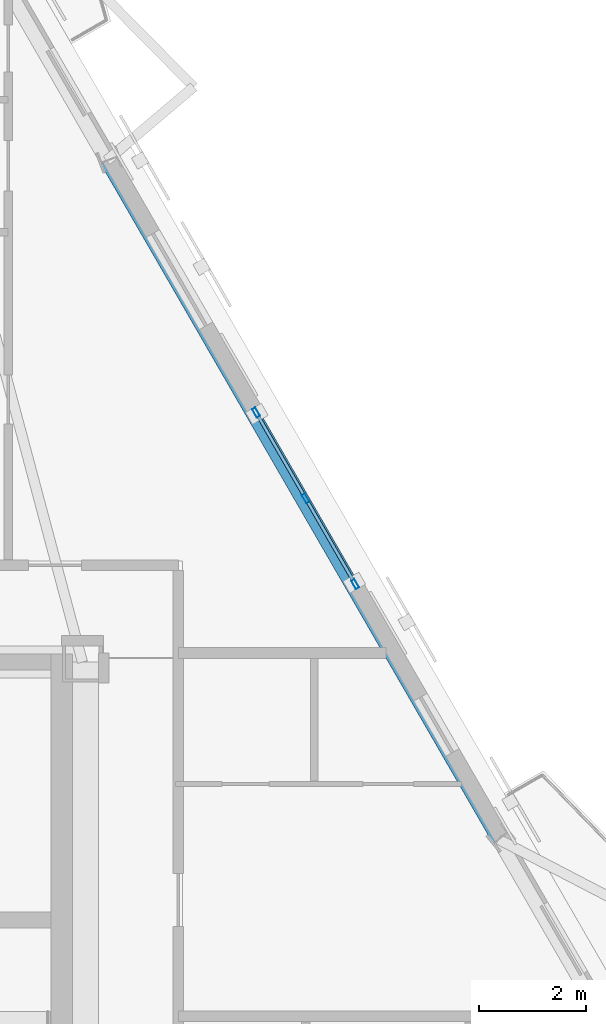
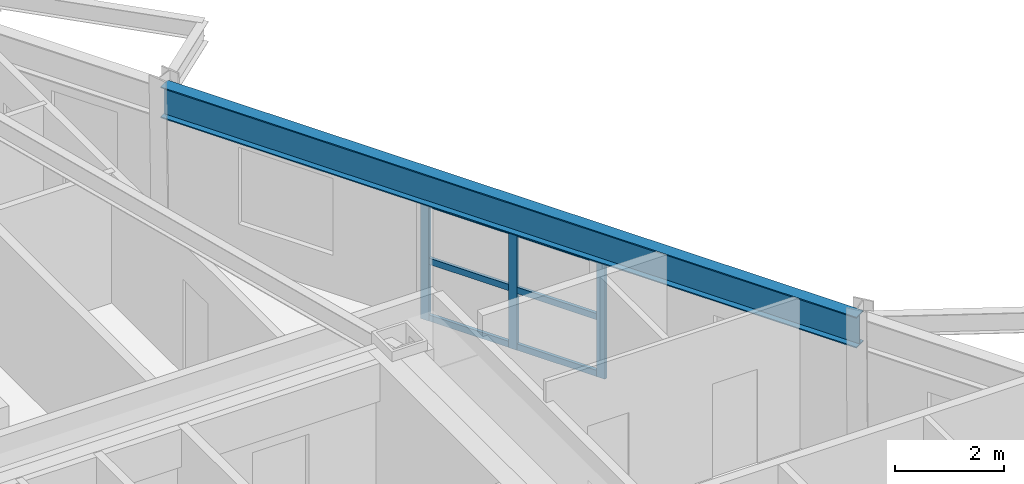
# One storey, part 4 of 12: 9 members, 1 beam, 1 element without a shape of its own.
"""IFC4 building model written with IfcOpenShell, lengths in metres."""

from ifc_helpers import new_model, si_unit, direction, frame, origin, origin_2d, place, context, subcontext, project, spatial, hollow_rectangle, i_section, extrude, material, layer, layer_set, material_profile, profile_set, type_object, element, aggregate, save


model = new_model("IFC4")

# Units and contexts
model_context = context("Model", 3, precision=1e-05, world=origin(), true_north=direction((0.0, 1.0)))
body_context = subcontext(model_context, "Body", "Model", "MODEL_VIEW")
ifc_project = project(units=[si_unit("LENGTHUNIT", "METRE"), si_unit("AREAUNIT", "SQUARE_METRE"), si_unit("VOLUMEUNIT", "CUBIC_METRE"), si_unit("PLANEANGLEUNIT", "RADIAN"), si_unit("MASSUNIT", "GRAM", prefix="KILO")], contexts=[model_context])

# Site, building, storey
site_placement = place(None, origin())
site = spatial("IfcSite", under=ifc_project, at=site_placement, CompositionType="ELEMENT")
building_placement = place(site_placement, origin())
building = spatial("IfcBuilding", under=site, at=building_placement, Name="Oramaril Tower", CompositionType="ELEMENT")
storey_placement = place(building_placement, frame((0.0, 0.0, 227.10009765625)))
storey = spatial("IfcBuildingStorey", under=building, at=storey_placement, Name="L60", CompositionType="ELEMENT", Elevation=227.10009765625)

# Beam
ifc_material_1 = material(Name="Steel ASTM A572 Gr 50", Category="steel")
ifc_material_profile_1 = material_profile(ifc_material_1, i_section(OverallWidth=0.257080078125, OverallDepth=0.693115234375, WebThickness=0.014404296875, FlangeThickness=0.023681640625, at=origin_2d()), Name="W27X114")
ifc_profile_set_1 = profile_set([ifc_material_profile_1], Name="Steel ASTM A572 Gr 50")
beam_type = type_object("IfcBeamType", Name="BT-SP4", PredefinedType="SPANDREL", material=ifc_profile_set_1)
beam_placement = place(storey_placement, frame((53.46484375, 20.81982421875, 3.033447265625), z_axis=(-0.500001490348, 0.86602454333, 0.0), x_axis=(-0.86602454333, -0.500001490348, 0.0)))
element("IfcBeam", 1, at=beam_placement, inside=storey, type_object=beam_type, Name="L60 Perimeter Spandrel 10", PredefinedType="SPANDREL", context=body_context, shape_type="SweptSolid", body=[
    extrude(i_section(OverallWidth=0.257080078125, OverallDepth=0.693115234375, WebThickness=0.014404296875, FlangeThickness=0.023681640625, at=origin_2d()), origin(), (0.0, 0.0, 1.0), 14.71826171875),
])

# Curtain wall, members
ifc_material_2 = material(Name="Anodised Aluminium 6063-T6", Category="aluminium")
ifc_layer = layer(ifc_material_2, 0.179931640625)
ifc_layer_set = layer_set([ifc_layer], Name="CWT-SYS4")
curtain_wall_type = type_object("IfcCurtainWallType", Name="CWT-SYS4", PredefinedType="NOTDEFINED", material=ifc_layer_set)
curtain_wall_placement = place(storey_placement, origin())
curtain_wall = element("IfcCurtainWall", 2, at=curtain_wall_placement, inside=storey, type_object=curtain_wall_type, Name="L60 Unitised Curtain Wall CW-4", PredefinedType="NOTDEFINED")
ifc_material_3 = material(Name="Anodised Aluminium 6063-T6", Category="aluminium")
ifc_material_profile_2 = material_profile(ifc_material_3, hollow_rectangle(XDim=0.070068359375, YDim=0.179931640625, WallThickness=0.00390625, at=origin_2d()), Name="CWM180X70")
ifc_profile_set_2 = profile_set([ifc_material_profile_2], Name="Anodised Aluminium 6063-T6")
member_type_1 = type_object("IfcMemberType", Name="MT-CWM2", PredefinedType="MULLION", material=ifc_profile_set_2)
member_1_placement = place(storey_placement, frame((50.771484375, 25.614501953125, 0.0), z_axis=(0.0, 0.0, 1.0), x_axis=(-0.866025463091, -0.499999897278, 0.0)))
member_1 = element("IfcMember", 3, at=member_1_placement, type_object=member_type_1, Name="CW-4 mullion 1", PredefinedType="MULLION", context=body_context, shape_type="SweptSolid", body=[
    extrude(hollow_rectangle(XDim=0.070068359375, YDim=0.179931640625, WallThickness=0.00390625, at=origin_2d()), origin(), (0.0, 0.0, 1.0), 2.677001953125),
])
member_2_placement = place(storey_placement, frame((49.84130859375, 27.225341796875, 0.0), z_axis=(0.0, 0.0, 1.0), x_axis=(-0.866025463091, -0.499999897278, 0.0)))
member_2 = element("IfcMember", 4, at=member_2_placement, type_object=member_type_1, Name="CW-4 mullion 2", PredefinedType="MULLION", context=body_context, shape_type="SweptSolid", body=[
    extrude(hollow_rectangle(XDim=0.070068359375, YDim=0.179931640625, WallThickness=0.00390625, at=origin_2d()), origin(), (0.0, 0.0, 1.0), 2.677001953125),
])
member_3_placement = place(storey_placement, frame((48.911376953125, 28.836181640625, 0.0), z_axis=(0.0, 0.0, 1.0), x_axis=(-0.866025463091, -0.499999897278, 0.0)))
member_3 = element("IfcMember", 5, at=member_3_placement, type_object=member_type_1, Name="CW-4 mullion 3", PredefinedType="MULLION", context=body_context, shape_type="SweptSolid", body=[
    extrude(hollow_rectangle(XDim=0.070068359375, YDim=0.179931640625, WallThickness=0.00390625, at=origin_2d()), origin(), (0.0, 0.0, 1.0), 2.677001953125),
])
ifc_material_4 = material(Name="Anodised Aluminium 6063-T6", Category="aluminium")
ifc_material_profile_3 = material_profile(ifc_material_4, hollow_rectangle(XDim=0.06494140625, YDim=0.139892578125, WallThickness=0.00390625, at=origin_2d()), Name="CWT140X65")
ifc_profile_set_3 = profile_set([ifc_material_profile_3], Name="Anodised Aluminium 6063-T6")
member_type_2 = type_object("IfcMemberType", Name="MT-CWT2", PredefinedType="USERDEFINED", material=ifc_profile_set_3)
member_4_placement = place(storey_placement, frame((50.726318359375, 25.6923828125, 0.06982421875), z_axis=(-0.499890179513, 0.866088799389, 0.0), x_axis=(-0.866088799389, -0.499890179513, 0.0)))
member_4 = element("IfcMember", 6, at=member_4_placement, type_object=member_type_2, Name="CW-4 transom 1.1", ObjectType="TRANSOM", PredefinedType="USERDEFINED", context=body_context, shape_type="SweptSolid", body=[
    extrude(hollow_rectangle(XDim=0.06494140625, YDim=0.139892578125, WallThickness=0.00390625, at=origin_2d()), origin(), (0.0, 0.0, 1.0), 1.68017578125),
])
member_5_placement = place(storey_placement, frame((50.726318359375, 25.6923828125, 1.33837890625), z_axis=(-0.499890179513, 0.866088799389, 0.0), x_axis=(-0.866088799389, -0.499890179513, 0.0)))
member_5 = element("IfcMember", 7, at=member_5_placement, type_object=member_type_2, Name="CW-4 transom 1.2", ObjectType="TRANSOM", PredefinedType="USERDEFINED", context=body_context, shape_type="SweptSolid", body=[
    extrude(hollow_rectangle(XDim=0.06494140625, YDim=0.139892578125, WallThickness=0.00390625, at=origin_2d()), origin(), (0.0, 0.0, 1.0), 1.68017578125),
])
member_6_placement = place(storey_placement, frame((50.726318359375, 25.6923828125, 2.60693359375), z_axis=(-0.499890179513, 0.866088799389, 0.0), x_axis=(-0.866088799389, -0.499890179513, 0.0)))
member_6 = element("IfcMember", 8, at=member_6_placement, type_object=member_type_2, Name="CW-4 transom 1.3", ObjectType="TRANSOM", PredefinedType="USERDEFINED", context=body_context, shape_type="SweptSolid", body=[
    extrude(hollow_rectangle(XDim=0.06494140625, YDim=0.139892578125, WallThickness=0.00390625, at=origin_2d()), origin(), (0.0, 0.0, 1.0), 1.68017578125),
])
member_7_placement = place(storey_placement, frame((49.79638671875, 27.30322265625, 0.06982421875), z_axis=(-0.499999171277, 0.866025882247, 0.0), x_axis=(-0.866025882247, -0.499999171277, 0.0)))
member_7 = element("IfcMember", 9, at=member_7_placement, type_object=member_type_2, Name="CW-4 transom 2.1", ObjectType="TRANSOM", PredefinedType="USERDEFINED", context=body_context, shape_type="SweptSolid", body=[
    extrude(hollow_rectangle(XDim=0.06494140625, YDim=0.139892578125, WallThickness=0.00390625, at=origin_2d()), origin(), (0.0, 0.0, 1.0), 1.68017578125),
])
member_8_placement = place(storey_placement, frame((49.79638671875, 27.30322265625, 1.33837890625), z_axis=(-0.499999171277, 0.866025882247, 0.0), x_axis=(-0.866025882247, -0.499999171277, 0.0)))
member_8 = element("IfcMember", 10, at=member_8_placement, type_object=member_type_2, Name="CW-4 transom 2.2", ObjectType="TRANSOM", PredefinedType="USERDEFINED", context=body_context, shape_type="SweptSolid", body=[
    extrude(hollow_rectangle(XDim=0.06494140625, YDim=0.139892578125, WallThickness=0.00390625, at=origin_2d()), origin(), (0.0, 0.0, 1.0), 1.68017578125),
])
member_9_placement = place(storey_placement, frame((49.79638671875, 27.30322265625, 2.60693359375), z_axis=(-0.499999171277, 0.866025882247, 0.0), x_axis=(-0.866025882247, -0.499999171277, 0.0)))
member_9 = element("IfcMember", 11, at=member_9_placement, type_object=member_type_2, Name="CW-4 transom 2.3", ObjectType="TRANSOM", PredefinedType="USERDEFINED", context=body_context, shape_type="SweptSolid", body=[
    extrude(hollow_rectangle(XDim=0.06494140625, YDim=0.139892578125, WallThickness=0.00390625, at=origin_2d()), origin(), (0.0, 0.0, 1.0), 1.68017578125),
])
aggregate(curtain_wall, [member_1, member_2, member_3, member_4, member_5, member_6, member_7, member_8, member_9])

save(model, "model.ifc")
